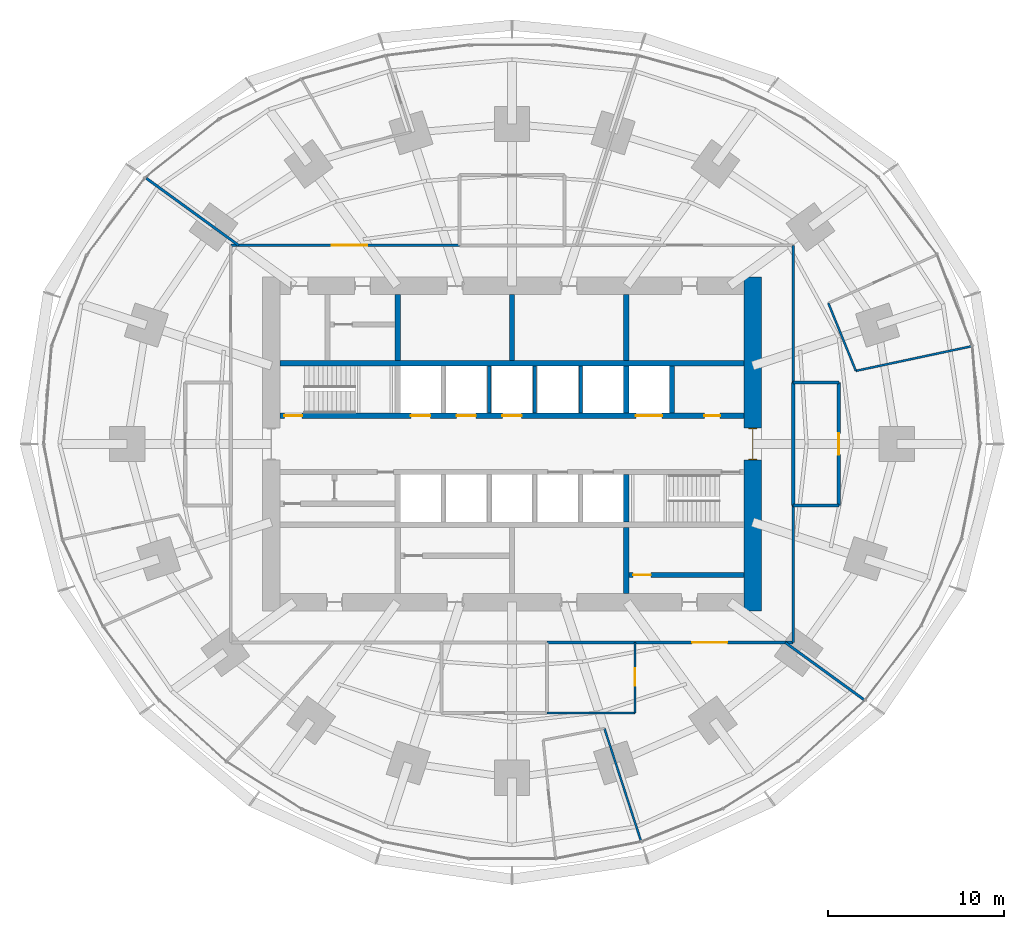
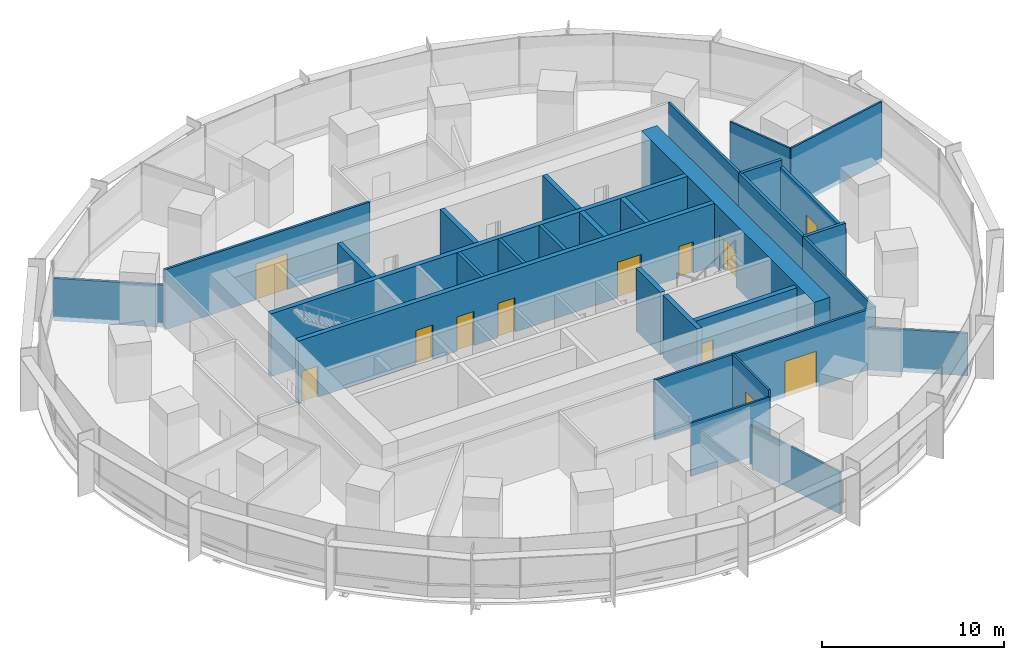
# One storey, part 12 of 15: 29 walls, 12 doors, 12 openings.
"""IFC4 building model written with IfcOpenShell, lengths in metres."""

from ifc_helpers import new_model, si_unit, direction, frame, frame_2d, origin, place, context, subcontext, project, spatial, rectangle, extrude, material, layer, layer_set, type_object, element, fill, save


model = new_model("IFC4")

# Units and contexts
model_context = context("Model", 3, precision=1e-05, world=origin(), true_north=direction((0.0, 1.0)))
body_context = subcontext(model_context, "Body", "Model", "MODEL_VIEW")
ifc_project = project(units=[si_unit("LENGTHUNIT", "METRE"), si_unit("AREAUNIT", "SQUARE_METRE"), si_unit("VOLUMEUNIT", "CUBIC_METRE"), si_unit("PLANEANGLEUNIT", "RADIAN"), si_unit("MASSUNIT", "GRAM", prefix="KILO")], contexts=[model_context])

# Site, building, storey
site_placement = place(None, origin())
site = spatial("IfcSite", under=ifc_project, at=site_placement, CompositionType="ELEMENT")
building_placement = place(site_placement, origin())
building = spatial("IfcBuilding", under=site, at=building_placement, Name="Marramba Exchange Tower", CompositionType="ELEMENT")
storey_placement = place(building_placement, frame((0.0, 0.0, 70.0)))
storey = spatial("IfcBuildingStorey", under=building, at=storey_placement, Name="L16", CompositionType="ELEMENT", Elevation=70.0)

# Walls
ifc_material_1 = material(Name="Concrete N50", Category="concrete")
ifc_layer_1 = layer(ifc_material_1, 0.199951171875)
ifc_layer_set_1 = layer_set([ifc_layer_1], Name="Core shaft wall 200")
wall_type_1 = type_object("IfcWallType", Name="Core shaft wall 200", PredefinedType="SHEAR", material=ifc_layer_set_1)
for number, where, z_axis, x_axis, name in (
    (1, (-1.300048828125, 1.75, 0.0), (0.0, 0.0, 1.0), (0.0, 1.0, 0.0), "Core wall SHN2 L16"),
    (2, (1.300048828125, 1.75, 0.0), (0.0, 0.0, 1.0), (0.0, 1.0, 0.0), "Core wall SHN3 L16"),
    (3, (3.89990234375, 1.75, 0.0), (0.0, 0.0, 1.0), (0.0, 1.0, 0.0), "Core wall SHN4 L16"),
):
    element("IfcWall", number, at=place(storey_placement, frame(where, z_axis=z_axis, x_axis=x_axis)), inside=storey, type_object=wall_type_1, Name=name, PredefinedType="SHEAR", context=body_context, shape_type="SweptSolid", body=[
        extrude(rectangle(XDim=2.699951171875, YDim=0.199951171875, at=frame_2d((1.35009765625, 0.0))), origin(), (0.0, 0.0, 1.0), 4.199951171875),
    ])

# Wall, opening, door
ifc_layer_2 = layer(ifc_material_1, 1.0)
ifc_layer_set_2 = layer_set([ifc_layer_2], Name="Core wall 1000")
wall_type_2 = type_object("IfcWallType", Name="Core wall 1000", PredefinedType="SHEAR", material=ifc_layer_set_2)
wall_1_placement = place(storey_placement, frame((13.699951171875, -9.5, 0.0), z_axis=(0.0, 0.0, 1.0), x_axis=(0.0, 1.0, 0.0)))
wall_1 = element("IfcWall", 4, at=wall_1_placement, inside=storey, type_object=wall_type_2, Name="Core wall E L16", PredefinedType="SHEAR", context=body_context, shape_type="SweptSolid", body=[
    extrude(rectangle(XDim=19.0, YDim=1.0, at=frame_2d((9.5, 0.0))), origin(), (0.0, 0.0, 1.0), 4.199951171875),
])
opening_1_placement = place(wall_1_placement, frame((8.60009765625, 0.0, 0.0)))
opening_1 = element("IfcOpeningElement", 5, at=opening_1_placement, cuts=wall_1, Name="Opening D1", PredefinedType="OPENING", context=body_context, shape_type="SweptSolid", body=[
    extrude(rectangle(XDim=1.800048828125, YDim=2.39990234375, at=frame_2d((0.89990234375, 1.199951171875))), frame((0.0, 0.510009765625, 0.0), z_axis=(0.0, -1.0, 0.0), x_axis=(1.0, 0.0, 0.0)), (0.0, 0.0, 1.0), 1.02001953125),
])
ifc_material_2 = material(Name="Steel-framed door", Category="steel")
door_type_1 = type_object("IfcDoorType", Name="Lobby exit door 1800x2400", OperationType="DOUBLE_DOOR_SINGLE_SWING", PredefinedType="DOOR", material=ifc_material_2)
door_1_placement = place(opening_1_placement, origin())
door_1 = element("IfcDoor", 6, at=door_1_placement, inside=storey, type_object=door_type_1, Name="D1 lobby exit east L16", OperationType="DOUBLE_DOOR_SINGLE_SWING", OverallHeight=2.39990234375, OverallWidth=1.800048828125, PredefinedType="DOOR", context=body_context, shape_type="SweptSolid", body=[
    extrude(rectangle(XDim=1.719970703125, YDim=2.35986328125, at=frame_2d((0.89990234375, 1.179931640625))), frame((0.0, 0.02490234375, 0.0), z_axis=(0.0, -1.0, 0.0), x_axis=(1.0, 0.0, 0.0)), (0.0, 0.0, 1.0), 0.050048828125),
    extrude(rectangle(XDim=0.04, YDim=2.39990234375, at=frame_2d((0.02001953125, 1.199951171875))), frame((0.0, 0.25, 0.0), z_axis=(0.0, -1.0, 0.0), x_axis=(1.0, 0.0, 0.0)), (0.0, 0.0, 1.0), 0.5),
    extrude(rectangle(XDim=0.04, YDim=2.39990234375, at=frame_2d((1.780029296875, 1.199951171875))), frame((0.0, 0.25, 0.0), z_axis=(0.0, -1.0, 0.0), x_axis=(1.0, 0.0, 0.0)), (0.0, 0.0, 1.0), 0.5),
    extrude(rectangle(XDim=1.719970703125, YDim=0.04, at=frame_2d((0.89990234375, 2.3798828125))), frame((0.0, 0.25, 0.0), z_axis=(0.0, -1.0, 0.0), x_axis=(1.0, 0.0, 0.0)), (0.0, 0.0, 1.0), 0.5),
])
fill(opening_1, door_1)

# Wall, openings, doors
ifc_layer_3 = layer(ifc_material_1, 0.300048828125)
ifc_layer_set_3 = layer_set([ifc_layer_3], Name="Core wall 300")
wall_type_3 = type_object("IfcWallType", Name="Core wall 300", PredefinedType="SHEAR", material=ifc_layer_set_3)
wall_2_placement = place(storey_placement, frame((-13.199951171875, 1.60009765625, 0.0), z_axis=(0.0, 0.0, 1.0), x_axis=(1.0, 0.0, 0.0)))
wall_2 = element("IfcWall", 7, at=wall_2_placement, inside=storey, type_object=wall_type_3, Name="Core wall LN L16", PredefinedType="SHEAR", context=body_context, shape_type="SweptSolid", body=[
    extrude(rectangle(XDim=26.39990234375, YDim=0.300048828125, at=frame_2d((13.199951171875, 0.0))), origin(), (0.0, 0.0, 1.0), 4.199951171875),
])
opening_2_placement = place(wall_2_placement, frame((0.25, 0.0, 0.0)))
opening_2 = element("IfcOpeningElement", 8, at=opening_2_placement, cuts=wall_2, Name="Opening D2", PredefinedType="OPENING", context=body_context, shape_type="SweptSolid", body=[
    extrude(rectangle(XDim=1.0, YDim=2.10009765625, at=frame_2d((0.5, 1.050048828125))), frame((0.0, 0.159912109375, 0.0), z_axis=(0.0, -1.0, 0.0), x_axis=(1.0, 0.0, 0.0)), (0.0, 0.0, 1.0), 0.320068359375),
])
opening_3_placement = place(wall_2_placement, frame((20.25, 0.0, 0.0)))
opening_3 = element("IfcOpeningElement", 9, at=opening_3_placement, cuts=wall_2, Name="Opening LD3", PredefinedType="OPENING", context=body_context, shape_type="SweptSolid", body=[
    extrude(rectangle(XDim=1.5, YDim=2.39990234375, at=frame_2d((0.75, 1.199951171875))), frame((0.0, 0.159912109375, 0.0), z_axis=(0.0, -1.0, 0.0), x_axis=(1.0, 0.0, 0.0)), (0.0, 0.0, 1.0), 0.320068359375),
])
opening_4_placement = place(wall_2_placement, frame((7.449951171875, 0.0, 0.0)))
opening_4 = element("IfcOpeningElement", 10, at=opening_4_placement, cuts=wall_2, Name="Opening LD1", PredefinedType="OPENING", context=body_context, shape_type="SweptSolid", body=[
    extrude(rectangle(XDim=1.10009765625, YDim=2.300048828125, at=frame_2d((0.550048828125, 1.14990234375))), frame((0.0, 0.159912109375, 0.0), z_axis=(0.0, -1.0, 0.0), x_axis=(1.0, 0.0, 0.0)), (0.0, 0.0, 1.0), 0.320068359375),
])
opening_5_placement = place(wall_2_placement, frame((10.050048828125, 0.0, 0.0)))
opening_5 = element("IfcOpeningElement", 11, at=opening_5_placement, cuts=wall_2, Name="Opening LD1", PredefinedType="OPENING", context=body_context, shape_type="SweptSolid", body=[
    extrude(rectangle(XDim=1.10009765625, YDim=2.300048828125, at=frame_2d((0.550048828125, 1.14990234375))), frame((0.0, 0.159912109375, 0.0), z_axis=(0.0, -1.0, 0.0), x_axis=(1.0, 0.0, 0.0)), (0.0, 0.0, 1.0), 0.320068359375),
])
opening_6_placement = place(wall_2_placement, frame((12.64990234375, 0.0, 0.0)))
opening_6 = element("IfcOpeningElement", 12, at=opening_6_placement, cuts=wall_2, Name="Opening LD1", PredefinedType="OPENING", context=body_context, shape_type="SweptSolid", body=[
    extrude(rectangle(XDim=1.10009765625, YDim=2.300048828125, at=frame_2d((0.550048828125, 1.14990234375))), frame((0.0, 0.159912109375, 0.0), z_axis=(0.0, -1.0, 0.0), x_axis=(1.0, 0.0, 0.0)), (0.0, 0.0, 1.0), 0.320068359375),
])
opening_7_placement = place(wall_2_placement, frame((24.14990234375, 0.0, 0.0)))
opening_7 = element("IfcOpeningElement", 13, at=opening_7_placement, cuts=wall_2, Name="Opening D5", PredefinedType="OPENING", context=body_context, shape_type="SweptSolid", body=[
    extrude(rectangle(XDim=0.89990234375, YDim=2.10009765625, at=frame_2d((0.449951171875, 1.050048828125))), frame((0.0, 0.159912109375, 0.0), z_axis=(0.0, -1.0, 0.0), x_axis=(1.0, 0.0, 0.0)), (0.0, 0.0, 1.0), 0.320068359375),
])
door_type_2 = type_object("IfcDoorType", Name="Goods lift landing door 1500x2400", OperationType="SLIDING_TO_LEFT", PredefinedType="DOOR", material=ifc_material_2)
door_2_placement = place(opening_3_placement, origin())
door_2 = element("IfcDoor", 14, at=door_2_placement, inside=storey, type_object=door_type_2, Name="GL1 landing door L16", OperationType="SLIDING_TO_LEFT", OverallHeight=2.39990234375, OverallWidth=1.5, PredefinedType="DOOR", context=body_context, shape_type="SweptSolid", body=[
    extrude(rectangle(XDim=1.5, YDim=2.39990234375, at=frame_2d((0.75, 1.199951171875))), frame((0.0, 0.02490234375, 0.0), z_axis=(0.0, -1.0, 0.0), x_axis=(1.0, 0.0, 0.0)), (0.0, 0.0, 1.0), 0.050048828125),
])
fill(opening_3, door_2)
door_type_3 = type_object("IfcDoorType", Name="Lift landing door 1100x2300", OperationType="SLIDING_TO_LEFT", PredefinedType="DOOR", material=ifc_material_2)
door_3_placement = place(opening_4_placement, origin())
door_3 = element("IfcDoor", 15, at=door_3_placement, inside=storey, type_object=door_type_3, Name="LA1 landing door L16", OperationType="SLIDING_TO_LEFT", OverallHeight=2.300048828125, OverallWidth=1.10009765625, PredefinedType="DOOR", context=body_context, shape_type="SweptSolid", body=[
    extrude(rectangle(XDim=1.10009765625, YDim=2.300048828125, at=frame_2d((0.550048828125, 1.14990234375))), frame((0.0, 0.02490234375, 0.0), z_axis=(0.0, -1.0, 0.0), x_axis=(1.0, 0.0, 0.0)), (0.0, 0.0, 1.0), 0.050048828125),
])
fill(opening_4, door_3)
door_4_placement = place(opening_5_placement, origin())
door_4 = element("IfcDoor", 16, at=door_4_placement, inside=storey, type_object=door_type_3, Name="LA2 landing door L16", OperationType="SLIDING_TO_LEFT", OverallHeight=2.300048828125, OverallWidth=1.10009765625, PredefinedType="DOOR", context=body_context, shape_type="SweptSolid", body=[
    extrude(rectangle(XDim=1.10009765625, YDim=2.300048828125, at=frame_2d((0.550048828125, 1.14990234375))), frame((0.0, 0.02490234375, 0.0), z_axis=(0.0, -1.0, 0.0), x_axis=(1.0, 0.0, 0.0)), (0.0, 0.0, 1.0), 0.050048828125),
])
fill(opening_5, door_4)
door_5_placement = place(opening_6_placement, origin())
door_5 = element("IfcDoor", 17, at=door_5_placement, inside=storey, type_object=door_type_3, Name="LA3 landing door L16", OperationType="SLIDING_TO_RIGHT", OverallHeight=2.300048828125, OverallWidth=1.10009765625, PredefinedType="DOOR", context=body_context, shape_type="SweptSolid", body=[
    extrude(rectangle(XDim=1.10009765625, YDim=2.300048828125, at=frame_2d((0.550048828125, 1.14990234375))), frame((0.0, 0.02490234375, 0.0), z_axis=(0.0, -1.0, 0.0), x_axis=(1.0, 0.0, 0.0)), (0.0, 0.0, 1.0), 0.050048828125),
])
fill(opening_6, door_5)
door_type_4 = type_object("IfcDoorType", Name="Service door 900x2100", OperationType="SINGLE_SWING_LEFT", PredefinedType="DOOR", material=ifc_material_2)
door_6_placement = place(opening_7_placement, origin())
door_6 = element("IfcDoor", 18, at=door_6_placement, inside=storey, type_object=door_type_4, Name="D5 riser L16", OperationType="SINGLE_SWING_RIGHT", OverallHeight=2.10009765625, OverallWidth=0.89990234375, PredefinedType="DOOR", context=body_context, shape_type="SweptSolid", body=[
    extrude(rectangle(XDim=0.89990234375, YDim=2.10009765625, at=frame_2d((0.449951171875, 1.050048828125))), frame((0.0, 0.02490234375, 0.0), z_axis=(0.0, -1.0, 0.0), x_axis=(1.0, 0.0, 0.0)), (0.0, 0.0, 1.0), 0.050048828125),
])
fill(opening_7, door_6)
door_type_5 = type_object("IfcDoorType", Name="Stair door 1000x2100", OperationType="SINGLE_SWING_LEFT", PredefinedType="DOOR", material=ifc_material_2)
door_7_placement = place(opening_2_placement, origin())
door_7 = element("IfcDoor", 19, at=door_7_placement, inside=storey, type_object=door_type_5, Name="D2 stair ST1 L16", OperationType="SINGLE_SWING_LEFT", OverallHeight=2.10009765625, OverallWidth=1.0, PredefinedType="DOOR", context=body_context, shape_type="SweptSolid", body=[
    extrude(rectangle(XDim=1.0, YDim=2.10009765625, at=frame_2d((0.5, 1.050048828125))), frame((0.0, 0.02490234375, 0.0), z_axis=(0.0, -1.0, 0.0), x_axis=(1.0, 0.0, 0.0)), (0.0, 0.0, 1.0), 0.050048828125),
])
fill(opening_2, door_7)

# Walls
wall_3_placement = place(storey_placement, frame((-13.199951171875, 4.60009765625, 0.0), z_axis=(0.0, 0.0, 1.0), x_axis=(1.0, 0.0, 0.0)))
element("IfcWall", 20, at=wall_3_placement, inside=storey, type_object=wall_type_3, Name="Core wall BN L16", PredefinedType="SHEAR", context=body_context, shape_type="SweptSolid", body=[
    extrude(rectangle(XDim=26.39990234375, YDim=0.300048828125, at=frame_2d((13.199951171875, 0.0))), origin(), (0.0, 0.0, 1.0), 4.199951171875),
])
wall_4_placement = place(storey_placement, frame((-6.5, 4.75, 0.0), z_axis=(0.0, 0.0, 1.0), x_axis=(0.0, 1.0, 0.0)))
element("IfcWall", 21, at=wall_4_placement, inside=storey, type_object=wall_type_3, Name="Core wall X0Nb L16", PredefinedType="SHEAR", context=body_context, shape_type="SweptSolid", body=[
    extrude(rectangle(XDim=3.75, YDim=0.300048828125, at=frame_2d((1.875, 0.0))), origin(), (0.0, 0.0, 1.0), 4.199951171875),
])
wall_5_placement = place(storey_placement, frame((6.5, 1.75, 0.0), z_axis=(0.0, 0.0, 1.0), x_axis=(0.0, 1.0, 0.0)))
element("IfcWall", 22, at=wall_5_placement, inside=storey, type_object=wall_type_3, Name="Core wall X1Na L16", PredefinedType="SHEAR", context=body_context, shape_type="SweptSolid", body=[
    extrude(rectangle(XDim=2.699951171875, YDim=0.300048828125, at=frame_2d((1.35009765625, 0.0))), origin(), (0.0, 0.0, 1.0), 4.199951171875),
])
for number, where, z_axis, x_axis, name in (
    (23, (6.5, 4.75, 0.0), (0.0, 0.0, 1.0), (0.0, 1.0, 0.0), "Core wall X1Nb L16"),
    (24, (0.0, 4.75, 0.0), (0.0, 0.0, 1.0), (0.0, 1.0, 0.0), "Core wall MN L16"),
):
    element("IfcWall", number, at=place(storey_placement, frame(where, z_axis=z_axis, x_axis=x_axis)), inside=storey, type_object=wall_type_3, Name=name, PredefinedType="SHEAR", context=body_context, shape_type="SweptSolid", body=[
        extrude(rectangle(XDim=3.75, YDim=0.300048828125, at=frame_2d((1.875, 0.0))), origin(), (0.0, 0.0, 1.0), 4.199951171875),
    ])
wall_6_placement = place(storey_placement, frame((6.5, -1.75, 0.0), z_axis=(0.0, 0.0, 1.0), x_axis=(0.0, -1.0, 0.0)))
element("IfcWall", 25, at=wall_6_placement, inside=storey, type_object=wall_type_3, Name="Core wall X1Sa L16", PredefinedType="SHEAR", context=body_context, shape_type="SweptSolid", body=[
    extrude(rectangle(XDim=2.699951171875, YDim=0.300048828125, at=frame_2d((1.35009765625, 0.0))), origin(), (0.0, 0.0, 1.0), 4.199951171875),
])
wall_7_placement = place(storey_placement, frame((6.5, -4.75, 0.0), z_axis=(0.0, 0.0, 1.0), x_axis=(0.0, -1.0, 0.0)))
element("IfcWall", 26, at=wall_7_placement, inside=storey, type_object=wall_type_3, Name="Core wall X1Sb L16", PredefinedType="SHEAR", context=body_context, shape_type="SweptSolid", body=[
    extrude(rectangle(XDim=3.75, YDim=0.300048828125, at=frame_2d((1.875, 0.0))), origin(), (0.0, 0.0, 1.0), 4.199951171875),
])
wall_8_placement = place(storey_placement, frame((9.10009765625, 1.75, 0.0), z_axis=(0.0, 0.0, 1.0), x_axis=(0.0, 1.0, 0.0)))
element("IfcWall", 27, at=wall_8_placement, inside=storey, type_object=wall_type_3, Name="Core wall ED L16", PredefinedType="SHEAR", context=body_context, shape_type="SweptSolid", body=[
    extrude(rectangle(XDim=2.699951171875, YDim=0.300048828125, at=frame_2d((1.35009765625, 0.0))), origin(), (0.0, 0.0, 1.0), 4.199951171875),
])
ifc_material_3 = material(Name="Core-filled concrete blockwork, rendered", Category="masonry")
ifc_layer_4 = layer(ifc_material_3, 0.18994140625)
ifc_layer_set_4 = layer_set([ifc_layer_4], Name="Equipment room wall 190")
wall_type_4 = type_object("IfcWallType", Name="Equipment room wall 190", PredefinedType="SOLIDWALL", material=ifc_layer_set_4)
wall_9_placement = place(storey_placement, frame((16.0, -3.5, 0.0), z_axis=(0.0, 0.0, 1.0), x_axis=(1.0, 0.0, 0.0)))
element("IfcWall", 28, at=wall_9_placement, inside=storey, type_object=wall_type_4, Name="Equipment room wall L16 20", PredefinedType="SOLIDWALL", context=body_context, shape_type="SweptSolid", body=[
    extrude(rectangle(XDim=2.60009765625, YDim=0.18994140625, at=frame_2d((1.300048828125, 0.0))), origin(), (0.0, 0.0, 1.0), 4.0400390625),
])
wall_10_placement = place(storey_placement, frame((16.0, 3.5, 0.0), z_axis=(0.0, 0.0, 1.0), x_axis=(0.0, -1.0, 0.0)))
element("IfcWall", 29, at=wall_10_placement, inside=storey, type_object=wall_type_4, Name="Equipment room wall L16 21", PredefinedType="SOLIDWALL", context=body_context, shape_type="SweptSolid", body=[
    extrude(rectangle(XDim=7.0, YDim=0.18994140625, at=frame_2d((3.5, 0.0))), origin(), (0.0, 0.0, 1.0), 4.0400390625),
])

# Wall, opening, door
wall_11_placement = place(storey_placement, frame((18.60009765625, -3.5, 0.0), z_axis=(0.0, 0.0, 1.0), x_axis=(0.0, 1.0, 0.0)))
wall_11 = element("IfcWall", 30, at=wall_11_placement, inside=storey, type_object=wall_type_4, Name="Equipment room wall L16 22", PredefinedType="SOLIDWALL", context=body_context, shape_type="SweptSolid", body=[
    extrude(rectangle(XDim=7.0, YDim=0.18994140625, at=frame_2d((3.5, 0.0))), origin(), (0.0, 0.0, 1.0), 3.5859375),
])
opening_8_placement = place(wall_11_placement, frame((2.89990234375, 0.0, 0.0)))
opening_8 = element("IfcOpeningElement", 31, at=opening_8_placement, cuts=wall_11, Name="Opening D16", PredefinedType="OPENING", context=body_context, shape_type="SweptSolid", body=[
    extrude(rectangle(XDim=1.199951171875, YDim=2.10009765625, at=frame_2d((0.60009765625, 1.050048828125))), frame((0.0, 0.10498046875, 0.0), z_axis=(0.0, -1.0, 0.0), x_axis=(1.0, 0.0, 0.0)), (0.0, 0.0, 1.0), 0.2099609375),
])
door_type_6 = type_object("IfcDoorType", Name="Equipment room door 1200x2100", OperationType="SINGLE_SWING_LEFT", PredefinedType="DOOR", material=ifc_material_2)
door_8_placement = place(opening_8_placement, origin())
door_8 = element("IfcDoor", 32, at=door_8_placement, inside=storey, type_object=door_type_6, Name="D16 Data Room 1 L16", OperationType="SINGLE_SWING_RIGHT", OverallHeight=2.10009765625, OverallWidth=1.199951171875, PredefinedType="DOOR", context=body_context, shape_type="SweptSolid", body=[
    extrude(rectangle(XDim=1.199951171875, YDim=2.10009765625, at=frame_2d((0.60009765625, 1.050048828125))), frame((0.0, 0.02490234375, 0.0), z_axis=(0.0, -1.0, 0.0), x_axis=(1.0, 0.0, 0.0)), (0.0, 0.0, 1.0), 0.050048828125),
])
fill(opening_8, door_8)

# Walls
wall_12_placement = place(storey_placement, frame((18.60009765625, 3.5, 0.0), z_axis=(0.0, 0.0, 1.0), x_axis=(-1.0, 0.0, 0.0)))
element("IfcWall", 33, at=wall_12_placement, inside=storey, type_object=wall_type_4, Name="Equipment room wall L16 23", PredefinedType="SOLIDWALL", context=body_context, shape_type="SweptSolid", body=[
    extrude(rectangle(XDim=2.60009765625, YDim=0.18994140625, at=frame_2d((1.300048828125, 0.0))), origin(), (0.0, 0.0, 1.0), 4.0400390625),
])
ifc_material_4 = material(Name="Plasterboard on steel studs", Category="steel")
ifc_layer_5 = layer(ifc_material_4, 0.1201171875)
ifc_layer_set_5 = layer_set([ifc_layer_5], Name="Partition 120")
wall_type_5 = type_object("IfcWallType", Name="Partition 120", PredefinedType="PARTITIONING", material=ifc_layer_set_5)
wall_13_placement = place(storey_placement, frame((2.0, -15.300048828125, 0.0), z_axis=(0.0, 0.0, 1.0), x_axis=(1.0, 0.0, 0.0)))
element("IfcWall", 34, at=wall_13_placement, inside=storey, type_object=wall_type_5, Name="Partition L16 14", PredefinedType="PARTITIONING", context=body_context, shape_type="SweptSolid", body=[
    extrude(rectangle(XDim=5.0, YDim=0.1201171875, at=frame_2d((2.5, 0.0))), origin(), (0.0, 0.0, 1.0), 3.5859375),
])
wall_14_placement = place(storey_placement, frame((7.330078125, -22.56005859375, 0.0), z_axis=(0.0, 0.0, 1.0), x_axis=(-0.309003676349, 0.951060843481, 0.0)))
element("IfcWall", 35, at=wall_14_placement, inside=storey, type_object=wall_type_5, Name="Partition L16 15", PredefinedType="PARTITIONING", context=body_context, shape_type="SweptSolid", body=[
    extrude(rectangle(XDim=6.699951171875, YDim=0.1201171875, at=frame_2d((3.35009765625, 0.0))), origin(), (0.0, 0.0, 1.0), 2.840087890625),
])

# Wall, opening, door
wall_15_placement = place(storey_placement, frame((7.0, -15.300048828125, 0.0), z_axis=(0.0, 0.0, 1.0), x_axis=(0.0, 1.0, 0.0)))
wall_15 = element("IfcWall", 36, at=wall_15_placement, inside=storey, type_object=wall_type_5, Name="Partition L16 16", PredefinedType="PARTITIONING", context=body_context, shape_type="SweptSolid", body=[
    extrude(rectangle(XDim=4.0, YDim=0.1201171875, at=frame_2d((2.0, 0.0))), origin(), (0.0, 0.0, 1.0), 4.0400390625),
])
opening_9_placement = place(wall_15_placement, frame((1.52587890625, 0.0, 0.0)))
opening_9 = element("IfcOpeningElement", 37, at=opening_9_placement, cuts=wall_15, Name="Opening D9", PredefinedType="OPENING", context=body_context, shape_type="SweptSolid", body=[
    extrude(rectangle(XDim=1.0, YDim=2.39990234375, at=frame_2d((0.5, 1.199951171875))), frame((0.0, 0.070068359375, 0.0), z_axis=(0.0, -1.0, 0.0), x_axis=(1.0, 0.0, 0.0)), (0.0, 0.0, 1.0), 0.14013671875),
])
ifc_material_5 = material(Name="Timber door", Category="wood")
door_type_7 = type_object("IfcDoorType", Name="Room door 1000x2400", OperationType="SINGLE_SWING_LEFT", PredefinedType="DOOR", material=ifc_material_5)
door_9_placement = place(opening_9_placement, origin())
door_9 = element("IfcDoor", 38, at=door_9_placement, inside=storey, type_object=door_type_7, Name="D9 Pantry L16", OperationType="SINGLE_SWING_RIGHT", OverallHeight=2.39990234375, OverallWidth=1.0, PredefinedType="DOOR", context=body_context, shape_type="SweptSolid", body=[
    extrude(rectangle(XDim=1.0, YDim=2.39990234375, at=frame_2d((0.5, 1.199951171875))), frame((0.0, 0.02490234375, 0.0), z_axis=(0.0, -1.0, 0.0), x_axis=(1.0, 0.0, 0.0)), (0.0, 0.0, 1.0), 0.050048828125),
])
fill(opening_9, door_9)

# Walls
wall_16_placement = place(storey_placement, frame((19.569580078125, 4.15966796875, 0.0), z_axis=(0.0, 0.0, 1.0), x_axis=(0.978146625084, 0.207916280835, 0.0)))
element("IfcWall", 39, at=wall_16_placement, inside=storey, type_object=wall_type_5, Name="Partition L16 24", PredefinedType="PARTITIONING", context=body_context, shape_type="SweptSolid", body=[
    extrude(rectangle(XDim=6.7001953125, YDim=0.1201171875, at=frame_2d((3.35009765625, 0.0))), origin(), (0.0, 0.0, 1.0), 4.0400390625),
])
wall_17_placement = place(storey_placement, frame((18.002685546875, 8.015380859375, 0.0), z_axis=(0.0, 0.0, 1.0), x_axis=(0.376482466065, -0.926423743622, 0.0)))
element("IfcWall", 40, at=wall_17_placement, inside=storey, type_object=wall_type_5, Name="Partition L16 25", PredefinedType="PARTITIONING", context=body_context, shape_type="SweptSolid", body=[
    extrude(rectangle(XDim=4.161865234375, YDim=0.1201171875, at=frame_2d((2.0810546875, 0.0))), origin(), (0.0, 0.0, 1.0), 4.0400390625),
])

# Wall, opening, door
ifc_material_6 = material(Name="Plasterboard on steel studs, insulated, unrated", Category="steel")
ifc_layer_6 = layer(ifc_material_6, 0.300048828125)
ifc_layer_set_6 = layer_set([ifc_layer_6], Name="Store partition 300")
wall_type_6 = type_object("IfcWallType", Name="Store partition 300", PredefinedType="PARTITIONING", material=ifc_layer_set_6)
wall_18_placement = place(storey_placement, frame((6.64990234375, -7.4599609375, 0.0), z_axis=(0.0, 0.0, 1.0), x_axis=(1.0, 0.0, 0.0)))
wall_18 = element("IfcWall", 41, at=wall_18_placement, inside=storey, type_object=wall_type_6, Name="Store partition L16 cstore", PredefinedType="PARTITIONING", context=body_context, shape_type="SweptSolid", body=[
    extrude(rectangle(XDim=6.550048828125, YDim=0.300048828125, at=frame_2d((3.27490234375, 0.0))), origin(), (0.0, 0.0, 1.0), 4.0400390625),
])
opening_10_placement = place(wall_18_placement, frame((0.25, 0.0, 0.0)))
opening_10 = element("IfcOpeningElement", 42, at=opening_10_placement, cuts=wall_18, Name="Opening D9", PredefinedType="OPENING", context=body_context, shape_type="SweptSolid", body=[
    extrude(rectangle(XDim=1.0, YDim=2.39990234375, at=frame_2d((0.5, 1.199951171875))), frame((0.0, 0.159912109375, 0.0), z_axis=(0.0, -1.0, 0.0), x_axis=(1.0, 0.0, 0.0)), (0.0, 0.0, 1.0), 0.320068359375),
])
door_10_placement = place(opening_10_placement, frame((1.0, 0.0, 0.0), z_axis=(0.0, 0.0, 1.0), x_axis=(-1.0, 0.0, 0.0)))
door_10 = element("IfcDoor", 43, at=door_10_placement, inside=storey, type_object=door_type_7, Name="D9 general store L16", OperationType="SINGLE_SWING_RIGHT", OverallHeight=2.39990234375, OverallWidth=1.0, PredefinedType="DOOR", context=body_context, shape_type="SweptSolid", body=[
    extrude(rectangle(XDim=1.0, YDim=2.39990234375, at=frame_2d((0.5, 1.199951171875))), frame((0.0, 0.025146484375, 0.0), z_axis=(0.0, -1.0, 0.0), x_axis=(1.0, 0.0, 0.0)), (0.0, 0.0, 1.0), 0.050048828125),
])
fill(opening_10, door_10)

ifc_material_7 = material(Name="Fire-rated plasterboard on steel studs, acoustic insulation", Category="steel")
ifc_layer_7 = layer(ifc_material_7, 0.14990234375)
ifc_layer_set_7 = layer_set([ifc_layer_7], Name="Tenancy wall 150")
wall_type_7 = type_object("IfcWallType", Name="Tenancy wall 150", PredefinedType="PARTITIONING", material=ifc_layer_set_7)
wall_19_placement = place(storey_placement, frame((2.0, -11.300048828125, 0.0), z_axis=(0.0, 0.0, 1.0), x_axis=(1.0, 0.0, 0.0)))
wall_19 = element("IfcWall", 44, at=wall_19_placement, inside=storey, type_object=wall_type_7, Name="Tenancy wall L16 17", PredefinedType="PARTITIONING", context=body_context, shape_type="SweptSolid", body=[
    extrude(rectangle(XDim=14.0, YDim=0.14990234375, at=frame_2d((7.0, 0.0))), origin(), (0.0, 0.0, 1.0), 4.0400390625),
])
opening_11_placement = place(wall_19_placement, frame((8.251953125, 0.0, 0.0)))
opening_11 = element("IfcOpeningElement", 45, at=opening_11_placement, cuts=wall_19, Name="Opening D17", PredefinedType="OPENING", context=body_context, shape_type="SweptSolid", body=[
    extrude(rectangle(XDim=2.0, YDim=2.39990234375, at=frame_2d((1.0, 1.199951171875))), frame((0.0, 0.0849609375, 0.0), z_axis=(0.0, -1.0, 0.0), x_axis=(1.0, 0.0, 0.0)), (0.0, 0.0, 1.0), 0.169921875),
])
door_type_8 = type_object("IfcDoorType", Name="Trading floor entry door pair 2000x2400", OperationType="DOUBLE_DOOR_SINGLE_SWING", PredefinedType="DOOR", material=ifc_material_2)
door_11_placement = place(opening_11_placement, origin())
door_11 = element("IfcDoor", 46, at=door_11_placement, inside=storey, type_object=door_type_8, Name="D17 Trading Floor 3 L16", OperationType="DOUBLE_DOOR_SINGLE_SWING", OverallHeight=2.39990234375, OverallWidth=2.0, PredefinedType="DOOR", context=body_context, shape_type="SweptSolid", body=[
    extrude(rectangle(XDim=2.0, YDim=2.39990234375, at=frame_2d((1.0, 1.199951171875))), frame((0.0, 0.02490234375, 0.0), z_axis=(0.0, -1.0, 0.0), x_axis=(1.0, 0.0, 0.0)), (0.0, 0.0, 1.0), 0.050048828125),
])
fill(opening_11, door_11)

# Walls
wall_20_placement = place(storey_placement, frame((15.552978515625, -11.300048828125, 0.0), z_axis=(0.0, 0.0, 1.0), x_axis=(0.809032304237, -0.587764179499, 0.0)))
element("IfcWall", 47, at=wall_20_placement, inside=storey, type_object=wall_type_7, Name="Tenancy wall L16 18", PredefinedType="PARTITIONING", context=body_context, shape_type="SweptSolid", body=[
    extrude(rectangle(XDim=5.5224609375, YDim=0.14990234375, at=frame_2d((2.76123046875, 0.0))), origin(), (0.0, 0.0, 1.0), 2.840087890625),
])
for number, where, z_axis, x_axis, name in (
    (48, (16.0, -11.300048828125, 0.0), (0.0, 0.0, 1.0), (0.0, 1.0, 0.0), "Tenancy wall L16 19"),
    (49, (16.0, 3.5, 0.0), (0.0, 0.0, 1.0), (0.0, 1.0, 0.0), "Tenancy wall L16 27"),
):
    element("IfcWall", number, at=place(storey_placement, frame(where, z_axis=z_axis, x_axis=x_axis)), inside=storey, type_object=wall_type_7, Name=name, PredefinedType="PARTITIONING", context=body_context, shape_type="SweptSolid", body=[
        extrude(rectangle(XDim=7.800048828125, YDim=0.14990234375, at=frame_2d((3.89990234375, 0.0))), origin(), (0.0, 0.0, 1.0), 4.0400390625),
    ])

# Wall, opening, door
wall_21_placement = place(storey_placement, frame((-3.0, 11.300048828125, 0.0), z_axis=(0.0, 0.0, 1.0), x_axis=(-1.0, 0.0, 0.0)))
wall_21 = element("IfcWall", 50, at=wall_21_placement, inside=storey, type_object=wall_type_7, Name="Tenancy wall L16 37", PredefinedType="PARTITIONING", context=body_context, shape_type="SweptSolid", body=[
    extrude(rectangle(XDim=13.0, YDim=0.14990234375, at=frame_2d((6.5, 0.0))), origin(), (0.0, 0.0, 1.0), 4.0400390625),
])
opening_12_placement = place(wall_21_placement, frame((5.251953125, 0.0, 0.0)))
opening_12 = element("IfcOpeningElement", 51, at=opening_12_placement, cuts=wall_21, Name="Opening D17", PredefinedType="OPENING", context=body_context, shape_type="SweptSolid", body=[
    extrude(rectangle(XDim=2.0, YDim=2.39990234375, at=frame_2d((1.0, 1.199951171875))), frame((0.0, 0.0849609375, 0.0), z_axis=(0.0, -1.0, 0.0), x_axis=(1.0, 0.0, 0.0)), (0.0, 0.0, 1.0), 0.169921875),
])
door_12_placement = place(opening_12_placement, origin())
door_12 = element("IfcDoor", 52, at=door_12_placement, inside=storey, type_object=door_type_8, Name="D17 Trading Floor 1 L16", OperationType="DOUBLE_DOOR_SINGLE_SWING", OverallHeight=2.39990234375, OverallWidth=2.0, PredefinedType="DOOR", context=body_context, shape_type="SweptSolid", body=[
    extrude(rectangle(XDim=2.0, YDim=2.39990234375, at=frame_2d((1.0, 1.199951171875))), frame((0.0, 0.02490234375, 0.0), z_axis=(0.0, -1.0, 0.0), x_axis=(1.0, 0.0, 0.0)), (0.0, 0.0, 1.0), 0.050048828125),
])
fill(opening_12, door_12)

# Wall
wall_22_placement = place(storey_placement, frame((-15.552978515625, 11.300048828125, 0.0), z_axis=(0.0, 0.0, 1.0), x_axis=(-0.809031640451, 0.58776509317, 0.0)))
element("IfcWall", 53, at=wall_22_placement, inside=storey, type_object=wall_type_7, Name="Tenancy wall L16 38", PredefinedType="PARTITIONING", context=body_context, shape_type="SweptSolid", body=[
    extrude(rectangle(XDim=6.498779296875, YDim=0.14990234375, at=frame_2d((3.24951171875, 0.0))), origin(), (0.0, 0.0, 1.0), 2.840087890625),
])

save(model, "model.ifc")
